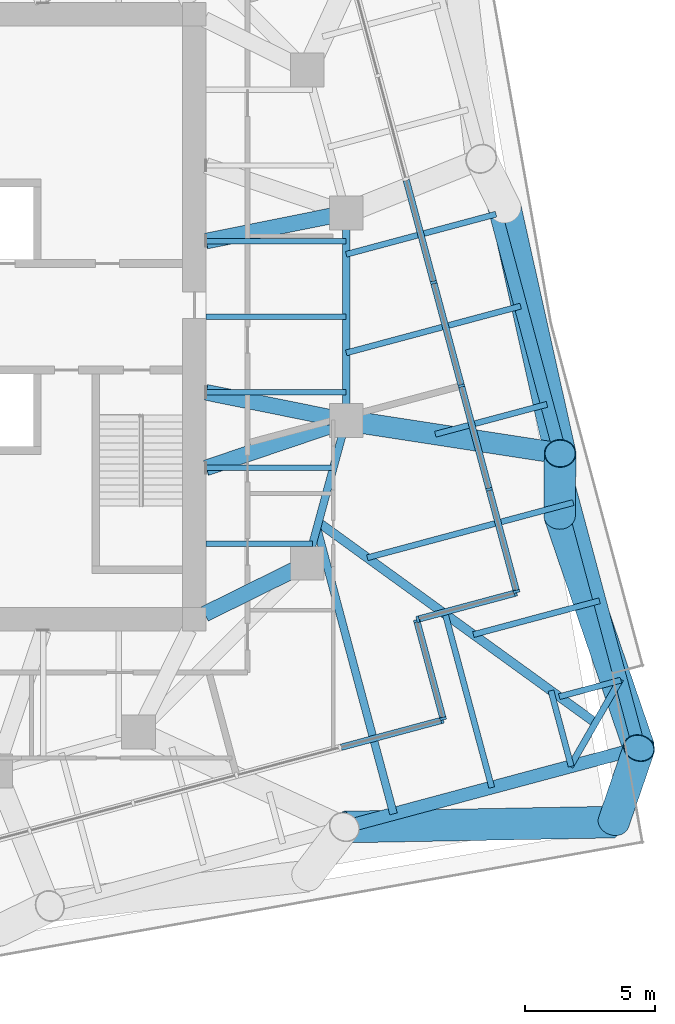
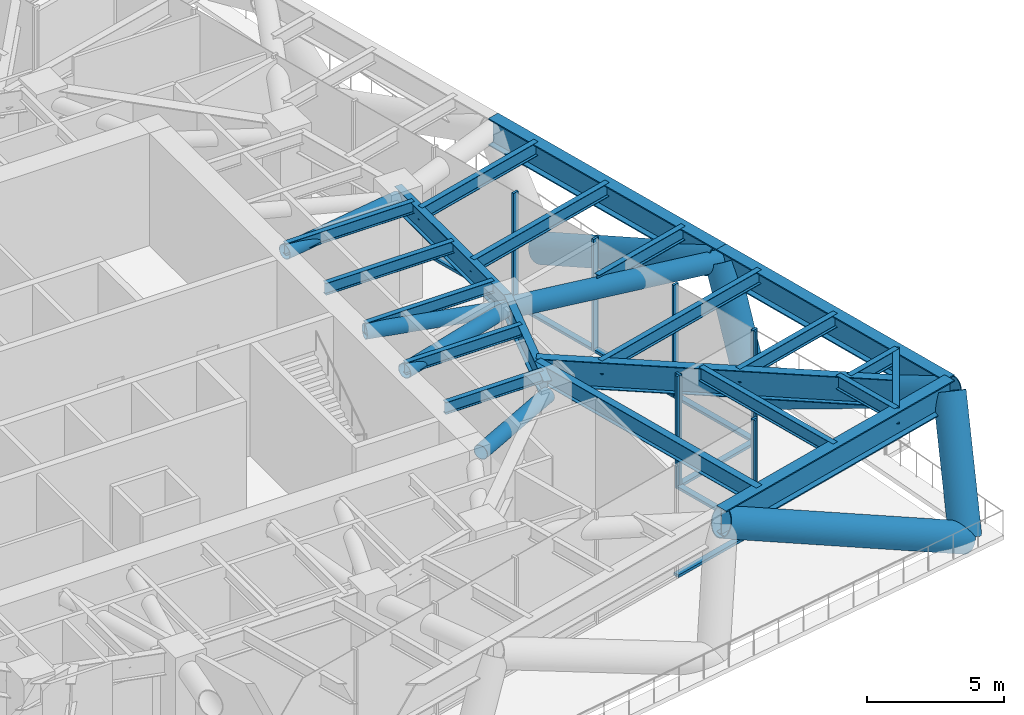
# One storey, part 4 of 14: 26 members, 21 beams, 4 elements without a shape of their own.
"""IFC4 building model written with IfcOpenShell, lengths in metres."""

from ifc_helpers import new_model, si_unit, direction, frame, origin, origin_2d, place, context, subcontext, project, spatial, rectangle, hollow_circle, i_section, extrude, material, material_profile, profile_set, type_object, element, aggregate, save


model = new_model("IFC4")

# Units and contexts
model_context = context("Model", 3, precision=1e-05, world=origin(), true_north=direction((0.0, 1.0)))
body_context = subcontext(model_context, "Body", "Model", "MODEL_VIEW")
ifc_project = project(units=[si_unit("LENGTHUNIT", "METRE"), si_unit("AREAUNIT", "SQUARE_METRE"), si_unit("VOLUMEUNIT", "CUBIC_METRE"), si_unit("PLANEANGLEUNIT", "RADIAN"), si_unit("MASSUNIT", "GRAM", prefix="KILO")], contexts=[model_context])

# Site, building, storey
site_placement = place(None, origin())
site = spatial("IfcSite", under=ifc_project, at=site_placement, CompositionType="ELEMENT")
building_placement = place(site_placement, origin())
building = spatial("IfcBuilding", under=site, at=building_placement, Name="Torsade Residences", CompositionType="ELEMENT")
storey_placement = place(building_placement, frame((0.0, 0.0, 106.60009765625)))
storey = spatial("IfcBuildingStorey", under=building, at=storey_placement, Name="L29", CompositionType="ELEMENT", Elevation=106.60009765625)

# Beams
ifc_material_1 = material(Name="Steel grade 300", Category="steel")
ifc_material_profile_1 = material_profile(ifc_material_1, i_section(OverallWidth=0.35009765625, OverallDepth=1.199951171875, WebThickness=0.01611328125, FlangeThickness=0.028076171875, at=origin_2d()), Name="1200WB278")
ifc_profile_set_1 = profile_set([ifc_material_profile_1], Name="Steel grade 300")
beam_type_1 = type_object("IfcBeamType", Name="CORNER GIRDER 1200WB278", PredefinedType="BEAM", material=ifc_profile_set_1)
beam_1_placement = place(storey_placement, frame((67.097412109375, 14.355224609375, 4.25), z_axis=(-0.810028054936, 0.586391123924, 0.0), x_axis=(-0.586391123924, -0.810028054936, 0.0)))
element("IfcBeam", 1, at=beam_1_placement, inside=storey, type_object=beam_type_1, Name="Corner girder 05 L30", PredefinedType="BEAM", context=body_context, shape_type="SweptSolid", body=[
    extrude(i_section(OverallWidth=0.35009765625, OverallDepth=1.199951171875, WebThickness=0.01611328125, FlangeThickness=0.028076171875, at=origin_2d()), origin(), (0.0, 0.0, 1.0), 13.1689453125),
])
ifc_material_2 = material(Name="Steel grade 300", Category="steel")
ifc_material_profile_2 = material_profile(ifc_material_2, i_section(OverallWidth=0.25, OverallDepth=0.699951171875, WebThickness=0.010009765625, FlangeThickness=0.02001953125, at=origin_2d()), Name="700WB130")
ifc_profile_set_2 = profile_set([ifc_material_profile_2], Name="Steel grade 300")
beam_type_2 = type_object("IfcBeamType", Name="CORNER TRIMMER 700WB130", PredefinedType="BEAM", material=ifc_profile_set_2)
beam_2_placement = place(storey_placement, frame((68.06982421875, 16.039306640625, 4.5), z_axis=(-0.499994147244, -0.866028782848, 0.0), x_axis=(0.866028782848, -0.499994147244, 0.0)))
element("IfcBeam", 2, at=beam_2_placement, inside=storey, type_object=beam_type_2, Name="Corner trimmer 05 L30", PredefinedType="BEAM", context=body_context, shape_type="SweptSolid", body=[
    extrude(i_section(OverallWidth=0.25, OverallDepth=0.699951171875, WebThickness=0.010009765625, FlangeThickness=0.02001953125, at=origin_2d()), origin(), (0.0, 0.0, 1.0), 3.88916015625),
])
ifc_material_3 = material(Name="Steel grade 300", Category="steel")
ifc_material_profile_3 = material_profile(ifc_material_3, i_section(OverallWidth=0.208984375, OverallDepth=0.528076171875, WebThickness=0.009521484375, FlangeThickness=0.01318359375, FilletRadius=0.013916015625, at=origin_2d()), Name="530UB82.0")
ifc_profile_set_3 = profile_set([ifc_material_profile_3], Name="Steel grade 300")
beam_type_3 = type_object("IfcBeamType", Name="INNER FLOOR BEAM 530UB82.0", PredefinedType="JOIST", material=ifc_profile_set_3)
beam_3_placement = place(storey_placement, frame((52.10009765625, 21.262451171875, 4.5859375), z_axis=(1.0, 0.0, 0.0), x_axis=(0.0, 1.0, 0.0)))
element("IfcBeam", 3, at=beam_3_placement, inside=storey, type_object=beam_type_3, Name="Inner floor beam IE01 L30", PredefinedType="JOIST", context=body_context, shape_type="SweptSolid", body=[
    extrude(i_section(OverallWidth=0.208984375, OverallDepth=0.528076171875, WebThickness=0.009521484375, FlangeThickness=0.01318359375, FilletRadius=0.013916015625, at=origin_2d()), origin(), (0.0, 0.0, 1.0), 4.10791015625),
])
beam_4_placement = place(storey_placement, frame((52.10009765625, 24.175048828125, 4.5859375), z_axis=(1.0, 0.0, 0.0), x_axis=(0.0, 1.0, 0.0)))
element("IfcBeam", 4, at=beam_4_placement, inside=storey, type_object=beam_type_3, Name="Inner floor beam IE02 L30", PredefinedType="JOIST", context=body_context, shape_type="SweptSolid", body=[
    extrude(i_section(OverallWidth=0.208984375, OverallDepth=0.528076171875, WebThickness=0.009521484375, FlangeThickness=0.01318359375, FilletRadius=0.013916015625, at=origin_2d()), origin(), (0.0, 0.0, 1.0), 4.902099609375),
])
for number, where, z_axis, x_axis, name in (
    (5, (52.10009765625, 27.08740234375, 4.5859375), (1.0, 0.0, 0.0), (0.0, 1.0, 0.0), "Inner floor beam IE03 L30"),
    (6, (52.10009765625, 30.0, 4.5859375), (1.0, 0.0, 0.0), (0.0, 1.0, 0.0), "Inner floor beam IE04 L30"),
    (7, (52.10009765625, 32.91259765625, 4.5859375), (1.0, 0.0, 0.0), (0.0, 1.0, 0.0), "Inner floor beam IE05 L30"),
):
    element("IfcBeam", number, at=place(storey_placement, frame(where, z_axis=z_axis, x_axis=x_axis)), inside=storey, type_object=beam_type_3, Name=name, PredefinedType="JOIST", context=body_context, shape_type="SweptSolid", body=[
        extrude(i_section(OverallWidth=0.208984375, OverallDepth=0.528076171875, WebThickness=0.009521484375, FlangeThickness=0.01318359375, FilletRadius=0.013916015625, at=origin_2d()), origin(), (0.0, 0.0, 1.0), 5.39990234375),
    ])
ifc_material_4 = material(Name="Steel grade 300", Category="steel")
ifc_material_profile_4 = material_profile(ifc_material_4, i_section(OverallWidth=0.300048828125, OverallDepth=1.0, WebThickness=0.01611328125, FlangeThickness=0.028076171875, at=origin_2d()), Name="1000WB215")
ifc_profile_set_4 = profile_set([ifc_material_profile_4], Name="Steel grade 300")
beam_type_4 = type_object("IfcBeamType", Name="RING GIRDER 1000WB215", PredefinedType="BEAM", material=ifc_profile_set_4)
beam_5_placement = place(storey_placement, frame((57.5, 26.0, 4.349853515625), z_axis=(0.0, 1.0, 0.0), x_axis=(-1.0, 0.0, 0.0)))
element("IfcBeam", 8, at=beam_5_placement, inside=storey, type_object=beam_type_4, Name="Ring girder IR01 L30", PredefinedType="BEAM", context=body_context, shape_type="SweptSolid", body=[
    extrude(i_section(OverallWidth=0.300048828125, OverallDepth=1.0, WebThickness=0.01611328125, FlangeThickness=0.028076171875, at=origin_2d()), origin(), (0.0, 0.0, 1.0), 8.0),
])
beam_6_placement = place(storey_placement, frame((56.0, 20.5, 4.349853515625), z_axis=(0.263117405792, 0.964763821238, 0.0), x_axis=(-0.964763821238, 0.263117405792, 0.0)))
element("IfcBeam", 9, at=beam_6_placement, inside=storey, type_object=beam_type_4, Name="Ring girder IR16 L30", PredefinedType="BEAM", context=body_context, shape_type="SweptSolid", body=[
    extrude(i_section(OverallWidth=0.300048828125, OverallDepth=1.0, WebThickness=0.01611328125, FlangeThickness=0.028076171875, at=origin_2d()), origin(), (0.0, 0.0, 1.0), 5.700927734375),
])
ifc_material_5 = material(Name="Steel grade 300", Category="steel")
ifc_material_profile_5 = material_profile(ifc_material_5, i_section(OverallWidth=0.22900390625, OverallDepth=0.612060546875, WebThickness=0.011962890625, FlangeThickness=0.01953125, FilletRadius=0.013916015625, at=origin_2d()), Name="610UB125")
ifc_profile_set_5 = profile_set([ifc_material_profile_5], Name="Steel grade 300")
beam_type_5 = type_object("IfcBeamType", Name="SECONDARY BEAM 610UB125", PredefinedType="JOIST", material=ifc_profile_set_5)
beam_7_placement = place(storey_placement, frame((63.106689453125, 11.862548828125, 4.5439453125), z_axis=(-0.258823180318, 0.965924718252, 0.0), x_axis=(-0.965924718252, -0.258823180318, 0.0)))
element("IfcBeam", 10, at=beam_7_placement, inside=storey, type_object=beam_type_5, Name="Floor beam FS11 L30", PredefinedType="JOIST", context=body_context, shape_type="SweptSolid", body=[
    extrude(i_section(OverallWidth=0.22900390625, OverallDepth=0.612060546875, WebThickness=0.011962890625, FlangeThickness=0.01953125, FilletRadius=0.013916015625, at=origin_2d()), origin(), (0.0, 0.0, 1.0), 6.912353515625),
])
beam_8_placement = place(storey_placement, frame((66.16552734375, 12.68212890625, 4.5439453125), z_axis=(-0.258826461598, 0.965923839014, 0.0), x_axis=(-0.965923839014, -0.258826461598, 0.0)))
element("IfcBeam", 11, at=beam_8_placement, inside=storey, type_object=beam_type_5, Name="Floor beam FS12 L30", PredefinedType="JOIST", context=body_context, shape_type="SweptSolid", body=[
    extrude(i_section(OverallWidth=0.22900390625, OverallDepth=0.612060546875, WebThickness=0.011962890625, FlangeThickness=0.01953125, FilletRadius=0.013916015625, at=origin_2d()), origin(), (0.0, 0.0, 1.0), 3.015625),
])
beam_9_placement = place(storey_placement, frame((68.08056640625, 15.9990234375, 4.5439453125), z_axis=(-0.965934311205, -0.258787376889, 0.0), x_axis=(0.258787376889, -0.965934311205, 0.0)))
element("IfcBeam", 12, at=beam_9_placement, inside=storey, type_object=beam_type_5, Name="Floor beam FE01 L30", PredefinedType="JOIST", context=body_context, shape_type="SweptSolid", body=[
    extrude(i_section(OverallWidth=0.22900390625, OverallDepth=0.612060546875, WebThickness=0.011962890625, FlangeThickness=0.01953125, FilletRadius=0.013916015625, at=origin_2d()), origin(), (0.0, 0.0, 1.0), 2.45849609375),
])
beam_10_placement = place(storey_placement, frame((67.260986328125, 19.057861328125, 4.5439453125), z_axis=(-0.965920980166, -0.258837130403, 0.0), x_axis=(0.258837130403, -0.965920980166, 0.0)))
element("IfcBeam", 13, at=beam_10_placement, inside=storey, type_object=beam_type_5, Name="Floor beam FE02 L30", PredefinedType="JOIST", context=body_context, shape_type="SweptSolid", body=[
    extrude(i_section(OverallWidth=0.22900390625, OverallDepth=0.612060546875, WebThickness=0.011962890625, FlangeThickness=0.01953125, FilletRadius=0.013916015625, at=origin_2d()), origin(), (0.0, 0.0, 1.0), 5.031982421875),
])
beam_11_placement = place(storey_placement, frame((66.247314453125, 22.841064453125, 4.5439453125), z_axis=(-0.965924969282, -0.258822243477, 0.0), x_axis=(0.258822243477, -0.965924969282, 0.0)))
element("IfcBeam", 14, at=beam_11_placement, inside=storey, type_object=beam_type_5, Name="Floor beam FE03 L30", PredefinedType="JOIST", context=body_context, shape_type="SweptSolid", body=[
    extrude(i_section(OverallWidth=0.22900390625, OverallDepth=0.612060546875, WebThickness=0.011962890625, FlangeThickness=0.01953125, FilletRadius=0.013916015625, at=origin_2d()), origin(), (0.0, 0.0, 1.0), 8.215087890625),
])
beam_12_placement = place(storey_placement, frame((65.233642578125, 26.624267578125, 4.5439453125), z_axis=(-0.965921124784, -0.258836590722, 0.0), x_axis=(0.258836590722, -0.965921124784, 0.0)))
element("IfcBeam", 15, at=beam_12_placement, inside=storey, type_object=beam_type_5, Name="Floor beam FE04 L30", PredefinedType="JOIST", context=body_context, shape_type="SweptSolid", body=[
    extrude(i_section(OverallWidth=0.22900390625, OverallDepth=0.612060546875, WebThickness=0.011962890625, FlangeThickness=0.01953125, FilletRadius=0.013916015625, at=origin_2d()), origin(), (0.0, 0.0, 1.0), 4.451904296875),
])
beam_13_placement = place(storey_placement, frame((64.2197265625, 30.407470703125, 4.5439453125), z_axis=(-0.965926120836, -0.258817945835, 0.0), x_axis=(0.258817945835, -0.965926120836, 0.0)))
element("IfcBeam", 16, at=beam_13_placement, inside=storey, type_object=beam_type_5, Name="Floor beam FE05 L30", PredefinedType="JOIST", context=body_context, shape_type="SweptSolid", body=[
    extrude(i_section(OverallWidth=0.22900390625, OverallDepth=0.612060546875, WebThickness=0.011962890625, FlangeThickness=0.01953125, FilletRadius=0.013916015625, at=origin_2d()), origin(), (0.0, 0.0, 1.0), 6.956787109375),
])
beam_14_placement = place(storey_placement, frame((63.270751953125, 33.94921875, 4.5439453125), z_axis=(-0.965920871885, -0.258837534481, 0.0), x_axis=(0.258837534481, -0.965920871885, 0.0)))
element("IfcBeam", 17, at=beam_14_placement, inside=storey, type_object=beam_type_5, Name="Floor beam FE06 L30", PredefinedType="JOIST", context=body_context, shape_type="SweptSolid", body=[
    extrude(i_section(OverallWidth=0.22900390625, OverallDepth=0.612060546875, WebThickness=0.011962890625, FlangeThickness=0.01953125, FilletRadius=0.013916015625, at=origin_2d()), origin(), (0.0, 0.0, 1.0), 5.974365234375),
])
ifc_material_6 = material(Name="Steel grade 300", Category="steel")
ifc_material_profile_6 = material_profile(ifc_material_6, i_section(OverallWidth=0.300048828125, OverallDepth=0.800048828125, WebThickness=0.010009765625, FlangeThickness=0.02001953125, at=origin_2d()), Name="800WB146")
ifc_profile_set_6 = profile_set([ifc_material_profile_6], Name="Steel grade 300")
beam_type_6 = type_object("IfcBeamType", Name="SECONDARY BEAM 800WB146", PredefinedType="JOIST", material=ifc_profile_set_6)
beam_15_placement = place(storey_placement, frame((59.323486328125, 10.8486328125, 4.449951171875), z_axis=(-0.258807068179, 0.965929035417, 0.0), x_axis=(-0.965929035417, -0.258807068179, 0.0)))
element("IfcBeam", 18, at=beam_15_placement, inside=storey, type_object=beam_type_6, Name="Floor beam FS10 L30", PredefinedType="JOIST", context=body_context, shape_type="SweptSolid", body=[
    extrude(i_section(OverallWidth=0.300048828125, OverallDepth=0.800048828125, WebThickness=0.010009765625, FlangeThickness=0.02001953125, at=origin_2d()), origin(), (0.0, 0.0, 1.0), 11.40380859375),
])

# Members
ifc_material_7 = material(Name="Steel grade 450", Category="steel")
ifc_material_profile_7 = material_profile(ifc_material_7, hollow_circle(Radius=0.304931640625, WallThickness=0.01611328125, at=origin_2d()), Name="610.0x16.0CHS")
ifc_profile_set_7 = profile_set([ifc_material_profile_7], Name="Steel grade 450")
member_type_1 = type_object("IfcMemberType", Name="TRANSFER FLOOR BRACE 610.0x16.0CHS", PredefinedType="BRACE", material=ifc_profile_set_7)
member_1_placement = place(storey_placement, frame((57.5, 26.0, 4.25), z_axis=(-0.97976354245, 0.197299340721, 0.033710102894), x_axis=(-0.197411538983, -0.980320704809, 0.0)))
element("IfcMember", 19, at=member_1_placement, inside=storey, type_object=member_type_1, Name="Transfer floor brace TT3 top IR01IE03", PredefinedType="BRACE", context=body_context, shape_type="SweptSolid", body=[
    extrude(hollow_circle(Radius=0.304931640625, WallThickness=0.01611328125, at=origin_2d()), origin(), (0.0, 0.0, 1.0), 5.511474609375),
])
member_2_placement = place(storey_placement, frame((57.5, 26.0, 4.25), z_axis=(-0.946857291164, -0.319999920944, 0.032577918373), x_axis=(0.320169867513, -0.947360151124, 0.0)))
element("IfcMember", 20, at=member_2_placement, inside=storey, type_object=member_type_1, Name="Transfer floor brace TT3 top IR01IE02", PredefinedType="BRACE", context=body_context, shape_type="SweptSolid", body=[
    extrude(hollow_circle(Radius=0.304931640625, WallThickness=0.01611328125, at=origin_2d()), origin(), (0.0, 0.0, 1.0), 5.702880859375),
])
member_3_placement = place(storey_placement, frame((57.5, 34.0, 4.25), z_axis=(-0.97976354245, -0.197299340721, 0.033710102894), x_axis=(0.197411538983, -0.980320704809, 0.0)))
element("IfcMember", 21, at=member_3_placement, inside=storey, type_object=member_type_1, Name="Transfer floor brace TT3 top IR02IE05", PredefinedType="BRACE", context=body_context, shape_type="SweptSolid", body=[
    extrude(hollow_circle(Radius=0.304931640625, WallThickness=0.01611328125, at=origin_2d()), origin(), (0.0, 0.0, 1.0), 5.511474609375),
])
member_4_placement = place(storey_placement, frame((56.0, 20.5, 4.25), z_axis=(-0.896469701914, -0.443105036702, 0.0), x_axis=(0.443105036702, -0.896469701914, 0.0)))
element("IfcMember", 22, at=member_4_placement, inside=storey, type_object=member_type_1, Name="Transfer floor brace TT3 top IR16C", PredefinedType="BRACE", context=body_context, shape_type="SweptSolid", body=[
    extrude(hollow_circle(Radius=0.304931640625, WallThickness=0.01611328125, at=origin_2d()), origin(), (0.0, 0.0, 1.0), 4.40234375),
])
ifc_material_8 = material(Name="Steel grade 450", Category="steel")
ifc_material_profile_8 = material_profile(ifc_material_8, hollow_circle(Radius=0.406494140625, WallThickness=0.02490234375, at=origin_2d()), Name="813.0x25.0CHS")
ifc_profile_set_8 = profile_set([ifc_material_profile_8], Name="Steel grade 450")
member_type_2 = type_object("IfcMemberType", Name="TRANSFER FLOOR STRUT 813.0x25.0CHS", PredefinedType="STRUT", material=ifc_profile_set_8)
member_5_placement = place(storey_placement, frame((65.740478515625, 24.732666015625, 4.25), z_axis=(-0.98837948251, 0.152006574044, 0.0), x_axis=(-0.152006574044, -0.98837948251, 0.0)))
element("IfcMember", 23, at=member_5_placement, inside=storey, type_object=member_type_2, Name="Transfer floor strut TT3 top 06IR01", PredefinedType="STRUT", context=body_context, shape_type="SweptSolid", body=[
    extrude(hollow_circle(Radius=0.406494140625, WallThickness=0.02490234375, at=origin_2d()), origin(), (0.0, 0.0, 1.0), 8.33740234375),
])

# Curtain wall, member
ifc_material_9 = material(Name="Aluminium and glass", Category="aluminium")
curtain_wall_type = type_object("IfcCurtainWallType", Name="TRANSFER LEVEL CURTAIN WALL LOW ZONE", PredefinedType="NOTDEFINED", material=ifc_material_9)
curtain_wall_1_placement = place(storey_placement, origin())
curtain_wall_1 = element("IfcCurtainWall", 24, at=curtain_wall_1_placement, inside=storey, type_object=curtain_wall_type, Name="Curtain wall L29 face 1", PredefinedType="NOTDEFINED")
ifc_material_10 = material(Name="Aluminium mullion", Category="aluminium")
ifc_material_profile_9 = material_profile(ifc_material_10, rectangle(XDim=0.25, YDim=0.10009765625, at=origin_2d()), Name="TRANSFER LEVEL CURTAIN WALL MULLION 250x100")
ifc_profile_set_9 = profile_set([ifc_material_profile_9], Name="Aluminium mullion")
member_type_3 = type_object("IfcMemberType", Name="TRANSFER LEVEL CURTAIN WALL MULLION 250x100", PredefinedType="MULLION", material=ifc_profile_set_9)
member_6_placement = place(storey_placement, frame((61.1953125, 14.4560546875, 0.0), z_axis=(0.0, 0.0, 1.0), x_axis=(-0.258819054021, 0.965925823899, 0.0)))
member_6 = element("IfcMember", 25, at=member_6_placement, type_object=member_type_3, Name="Mullion 9", PredefinedType="MULLION", context=body_context, shape_type="SweptSolid", body=[
    extrude(rectangle(XDim=0.25, YDim=0.10009765625, at=origin_2d()), origin(), (0.0, 0.0, 1.0), 5.0),
])

# Curtain wall, members
curtain_wall_2_placement = place(storey_placement, origin())
curtain_wall_2 = element("IfcCurtainWall", 26, at=curtain_wall_2_placement, inside=storey, type_object=curtain_wall_type, Name="Curtain wall L29 face 2", PredefinedType="NOTDEFINED")
member_7_placement = place(storey_placement, frame((61.230712890625, 14.517333984375, 0.0), z_axis=(0.0, 0.0, 1.0), x_axis=(-0.965925769954, -0.258819255346, 0.0)))
member_7 = element("IfcMember", 27, at=member_7_placement, type_object=member_type_3, Name="Mullion 1", PredefinedType="MULLION", context=body_context, shape_type="SweptSolid", body=[
    extrude(rectangle(XDim=0.25, YDim=0.10009765625, at=origin_2d()), origin(), (0.0, 0.0, 1.0), 5.0),
])
member_8_placement = place(storey_placement, frame((60.22119140625, 18.284423828125, 0.0), z_axis=(0.0, 0.0, 1.0), x_axis=(-0.965925769954, -0.258819255346, 0.0)))
member_8 = element("IfcMember", 28, at=member_8_placement, type_object=member_type_3, Name="Mullion 2", PredefinedType="MULLION", context=body_context, shape_type="SweptSolid", body=[
    extrude(rectangle(XDim=0.25, YDim=0.10009765625, at=origin_2d()), origin(), (0.0, 0.0, 1.0), 5.0),
])

curtain_wall_3_placement = place(storey_placement, origin())
curtain_wall_3 = element("IfcCurtainWall", 29, at=curtain_wall_3_placement, inside=storey, type_object=curtain_wall_type, Name="Curtain wall L29 face 3", PredefinedType="NOTDEFINED")
member_9_placement = place(storey_placement, frame((60.256591796875, 18.345703125, 0.0), z_axis=(0.0, 0.0, 1.0), x_axis=(-0.258818959596, 0.965925849201, 0.0)))
member_9 = element("IfcMember", 30, at=member_9_placement, type_object=member_type_3, Name="Mullion 1", PredefinedType="MULLION", context=body_context, shape_type="SweptSolid", body=[
    extrude(rectangle(XDim=0.25, YDim=0.10009765625, at=origin_2d()), origin(), (0.0, 0.0, 1.0), 5.0),
])
member_10_placement = place(storey_placement, frame((64.023681640625, 19.35498046875, 0.0), z_axis=(0.0, 0.0, 1.0), x_axis=(-0.258818959596, 0.965925849201, 0.0)))
member_10 = element("IfcMember", 31, at=member_10_placement, type_object=member_type_3, Name="Mullion 2", PredefinedType="MULLION", context=body_context, shape_type="SweptSolid", body=[
    extrude(rectangle(XDim=0.25, YDim=0.10009765625, at=origin_2d()), origin(), (0.0, 0.0, 1.0), 5.0),
])

curtain_wall_4_placement = place(storey_placement, origin())
curtain_wall_4 = element("IfcCurtainWall", 32, at=curtain_wall_4_placement, inside=storey, type_object=curtain_wall_type, Name="Curtain wall L29 face 4", PredefinedType="NOTDEFINED")
member_11_placement = place(storey_placement, frame((64.05908203125, 19.416259765625, 0.0), z_axis=(0.0, 0.0, 1.0), x_axis=(-0.965925823899, -0.258819054021, 0.0)))
member_11 = element("IfcMember", 33, at=member_11_placement, type_object=member_type_3, Name="Mullion 1", PredefinedType="MULLION", context=body_context, shape_type="SweptSolid", body=[
    extrude(rectangle(XDim=0.25, YDim=0.10009765625, at=origin_2d()), origin(), (0.0, 0.0, 1.0), 5.0),
])
member_12_placement = place(storey_placement, frame((63.00439453125, 23.3525390625, 0.0), z_axis=(0.0, 0.0, 1.0), x_axis=(-0.965925823899, -0.258819054021, 0.0)))
member_12 = element("IfcMember", 34, at=member_12_placement, type_object=member_type_3, Name="Mullion 2", PredefinedType="MULLION", context=body_context, shape_type="SweptSolid", body=[
    extrude(rectangle(XDim=0.25, YDim=0.10009765625, at=origin_2d()), origin(), (0.0, 0.0, 1.0), 5.0),
])
member_13_placement = place(storey_placement, frame((61.936767578125, 27.3369140625, 0.0), z_axis=(0.0, 0.0, 1.0), x_axis=(-0.965925823899, -0.258819054021, 0.0)))
member_13 = element("IfcMember", 35, at=member_13_placement, type_object=member_type_3, Name="Mullion 3", PredefinedType="MULLION", context=body_context, shape_type="SweptSolid", body=[
    extrude(rectangle(XDim=0.25, YDim=0.10009765625, at=origin_2d()), origin(), (0.0, 0.0, 1.0), 5.0),
])
member_14_placement = place(storey_placement, frame((60.869140625, 31.3212890625, 0.0), z_axis=(0.0, 0.0, 1.0), x_axis=(-0.965925823899, -0.258819054021, 0.0)))
member_14 = element("IfcMember", 36, at=member_14_placement, type_object=member_type_3, Name="Mullion 4", PredefinedType="MULLION", context=body_context, shape_type="SweptSolid", body=[
    extrude(rectangle(XDim=0.25, YDim=0.10009765625, at=origin_2d()), origin(), (0.0, 0.0, 1.0), 5.0),
])

# Member
ifc_material_11 = material(Name="Aluminium transom", Category="aluminium")
ifc_material_profile_10 = material_profile(ifc_material_11, rectangle(XDim=0.25, YDim=0.1201171875, at=origin_2d()), Name="TRANSFER LEVEL CURTAIN WALL TRANSOM 250x120")
ifc_profile_set_10 = profile_set([ifc_material_profile_10], Name="Aluminium transom")
member_type_4 = type_object("IfcMemberType", Name="TRANSFER LEVEL CURTAIN WALL TRANSOM 250x120", PredefinedType="USERDEFINED", material=ifc_profile_set_10)
member_15_placement = place(storey_placement, frame((57.307373046875, 13.414306640625, 0.059814453125), z_axis=(0.965926393629, 0.258816927752, 0.0), x_axis=(-0.258816927752, 0.965926393629, 0.0)))
member_15 = element("IfcMember", 37, at=member_15_placement, type_object=member_type_4, Name="Transom 8.1", ObjectType="TRANSOM", PredefinedType="USERDEFINED", context=body_context, shape_type="SweptSolid", body=[
    extrude(rectangle(XDim=0.25, YDim=0.1201171875, at=origin_2d()), origin(), (0.0, 0.0, 1.0), 3.97509765625),
])

aggregate(curtain_wall_1, [member_6, member_15])

member_16_placement = place(storey_placement, frame((61.2177734375, 14.565673828125, 0.059814453125), z_axis=(-0.258858119419, 0.96591535551, 0.0), x_axis=(-0.96591535551, -0.258858119419, 0.0)))
member_16 = element("IfcMember", 38, at=member_16_placement, type_object=member_type_4, Name="Transom 1.1", ObjectType="TRANSOM", PredefinedType="USERDEFINED", context=body_context, shape_type="SweptSolid", body=[
    extrude(rectangle(XDim=0.25, YDim=0.1201171875, at=origin_2d()), origin(), (0.0, 0.0, 1.0), 3.800048828125),
])

aggregate(curtain_wall_2, [member_7, member_8, member_16])

member_17_placement = place(storey_placement, frame((60.304931640625, 18.358642578125, 0.059814453125), z_axis=(0.96593141835, 0.258798174346, 0.0), x_axis=(-0.258798174346, 0.96593141835, 0.0)))
member_17 = element("IfcMember", 39, at=member_17_placement, type_object=member_type_4, Name="Transom 1.1", ObjectType="TRANSOM", PredefinedType="USERDEFINED", context=body_context, shape_type="SweptSolid", body=[
    extrude(rectangle(XDim=0.25, YDim=0.1201171875, at=origin_2d()), origin(), (0.0, 0.0, 1.0), 3.7998046875),
])

aggregate(curtain_wall_3, [member_9, member_10, member_17])

member_18_placement = place(storey_placement, frame((64.046142578125, 19.464599609375, 0.059814453125), z_axis=(-0.258816927752, 0.965926393629, 0.0), x_axis=(-0.965926393629, -0.258816927752, 0.0)))
member_18 = element("IfcMember", 40, at=member_18_placement, type_object=member_type_4, Name="Transom 1.1", ObjectType="TRANSOM", PredefinedType="USERDEFINED", context=body_context, shape_type="SweptSolid", body=[
    extrude(rectangle(XDim=0.25, YDim=0.1201171875, at=origin_2d()), origin(), (0.0, 0.0, 1.0), 3.97509765625),
])

member_19_placement = place(storey_placement, frame((62.991455078125, 23.400634765625, 0.059814453125), z_axis=(-0.258813901512, 0.965927204495, 0.0), x_axis=(-0.965927204495, -0.258813901512, 0.0)))
member_19 = element("IfcMember", 41, at=member_19_placement, type_object=member_type_4, Name="Transom 2.1", ObjectType="TRANSOM", PredefinedType="USERDEFINED", context=body_context, shape_type="SweptSolid", body=[
    extrude(rectangle(XDim=0.25, YDim=0.1201171875, at=origin_2d()), origin(), (0.0, 0.0, 1.0), 4.025146484375),
])

member_20_placement = place(storey_placement, frame((61.923828125, 27.38525390625, 0.059814453125), z_axis=(-0.258829065781, 0.965923141201, 0.0), x_axis=(-0.965923141201, -0.258829065781, 0.0)))
member_20 = element("IfcMember", 42, at=member_20_placement, type_object=member_type_4, Name="Transom 3.1", ObjectType="TRANSOM", PredefinedType="USERDEFINED", context=body_context, shape_type="SweptSolid", body=[
    extrude(rectangle(XDim=0.25, YDim=0.1201171875, at=origin_2d()), origin(), (0.0, 0.0, 1.0), 4.02490234375),
])

member_21_placement = place(storey_placement, frame((60.856201171875, 31.36962890625, 0.059814453125), z_axis=(-0.258813901512, 0.965927204495, 0.0), x_axis=(-0.965927204495, -0.258813901512, 0.0)))
member_21 = element("IfcMember", 43, at=member_21_placement, type_object=member_type_4, Name="Transom 4.1", ObjectType="TRANSOM", PredefinedType="USERDEFINED", context=body_context, shape_type="SweptSolid", body=[
    extrude(rectangle(XDim=0.25, YDim=0.1201171875, at=origin_2d()), origin(), (0.0, 0.0, 1.0), 4.025146484375),
])

aggregate(curtain_wall_4, [member_11, member_12, member_13, member_14, member_18, member_19, member_20, member_21])

# Beams
ifc_material_12 = material(Name="Steel grade 350", Category="steel")
ifc_material_profile_11 = material_profile(ifc_material_12, i_section(OverallWidth=0.5, OverallDepth=1.199951171875, WebThickness=0.031982421875, FlangeThickness=0.050048828125, at=origin_2d()), Name="1200x500x50x32WPG")
ifc_profile_set_11 = profile_set([ifc_material_profile_11], Name="Steel grade 350")
beam_type_7 = type_object("IfcBeamType", Name="TRANSFER TRUSS CHORD 1200x500x50x32WPG", PredefinedType="USERDEFINED", material=ifc_profile_set_11)
for number, where, z_axis, x_axis, name in (
    (44, (57.431884765625, 10.341796875, 4.25), (0.965922824118, 0.258830249097, 0.0), (-0.258830249097, 0.965922824118, 0.0), "Transfer truss TT3 top chord 04"),
    (45, (68.781494140625, 13.383056640625, 4.25), (-0.258810863021, 0.965928018634, 0.0), (-0.965928018634, -0.258810863021, 0.0), "Transfer truss TT3 top chord 05"),
    (46, (65.740478515625, 24.732666015625, 4.25), (-0.258830249097, 0.965922824118, 0.0), (-0.965922824118, -0.258830249097, 0.0), "Transfer truss TT3 top chord 06"),
):
    element("IfcBeam", number, at=place(storey_placement, frame(where, z_axis=z_axis, x_axis=x_axis)), inside=storey, type_object=beam_type_7, Name=name, ObjectType="TRANSFER TRUSS CHORD", PredefinedType="USERDEFINED", context=body_context, shape_type="SweptSolid", body=[
        extrude(i_section(OverallWidth=0.5, OverallDepth=1.199951171875, WebThickness=0.031982421875, FlangeThickness=0.050048828125, at=origin_2d()), origin(), (0.0, 0.0, 1.0), 11.75),
    ])

# Members
ifc_material_13 = material(Name="Steel grade 450", Category="steel")
ifc_material_profile_12 = material_profile(ifc_material_13, hollow_circle(Radius=0.609619140625, WallThickness=0.0400390625, at=origin_2d()), Name="1219.0x40.0CHS")
ifc_profile_set_12 = profile_set([ifc_material_profile_12], Name="Steel grade 450")
member_type_5 = type_object("IfcMemberType", Name="TRANSFER TRUSS DIAGONAL 1219.0x40.0CHS", PredefinedType="BRACE", material=ifc_profile_set_12)
member_22_placement = place(storey_placement, frame((67.802978515625, 10.5322265625, -0.2001953125), z_axis=(-0.918839585468, -0.016871348321, 0.394270432296), x_axis=(0.018358487421, -0.999831468768, 0.0)))
element("IfcMember", 47, at=member_22_placement, inside=storey, type_object=member_type_5, Name="Transfer truss TT3 diagonal 04", PredefinedType="BRACE", context=body_context, shape_type="SweptSolid", body=[
    extrude(hollow_circle(Radius=0.609619140625, WallThickness=0.0400390625, at=origin_2d()), origin(), (0.0, 0.0, 1.0), 11.287109375),
])
member_23_placement = place(storey_placement, frame((65.71923828125, 22.349853515625, -0.2001953125), z_axis=(0.292526846333, -0.856567488808, 0.425111963243), x_axis=(0.946336210326, 0.323183813062, 0.0)))
element("IfcMember", 48, at=member_23_placement, inside=storey, type_object=member_type_5, Name="Transfer truss TT3 diagonal 05", PredefinedType="BRACE", context=body_context, shape_type="SweptSolid", body=[
    extrude(hollow_circle(Radius=0.609619140625, WallThickness=0.0400390625, at=origin_2d()), origin(), (0.0, 0.0, 1.0), 10.46826171875),
])
member_24_placement = place(storey_placement, frame((63.635498046875, 34.16748046875, -0.2001953125), z_axis=(0.197800429475, -0.886568962777, 0.418175159879), x_axis=(0.976003683716, 0.217754011153, 0.0)))
element("IfcMember", 49, at=member_24_placement, inside=storey, type_object=member_type_5, Name="Transfer truss TT3 diagonal 06", PredefinedType="BRACE", context=body_context, shape_type="SweptSolid", body=[
    extrude(hollow_circle(Radius=0.609619140625, WallThickness=0.0400390625, at=origin_2d()), origin(), (0.0, 0.0, 1.0), 10.641845703125),
])
ifc_material_14 = material(Name="Steel grade 450", Category="steel")
ifc_material_profile_13 = material_profile(ifc_material_14, hollow_circle(Radius=0.609619140625, WallThickness=0.031982421875, at=origin_2d()), Name="1219.0x32.0CHS")
ifc_profile_set_13 = profile_set([ifc_material_profile_13], Name="Steel grade 450")
member_type_6 = type_object("IfcMemberType", Name="TRANSFER TRUSS RAKING STRUT 1219.0x32.0CHS", PredefinedType="STRUT", material=ifc_profile_set_13)
member_25_placement = place(storey_placement, frame((67.802978515625, 10.5322265625, -0.2001953125), z_axis=(0.182054654349, 0.530402245217, 0.827967125615), x_axis=(-0.945835129862, 0.324647358096, 0.0)))
element("IfcMember", 50, at=member_25_placement, inside=storey, type_object=member_type_6, Name="Transfer truss TT3 raking strut 05", PredefinedType="STRUT", context=body_context, shape_type="SweptSolid", body=[
    extrude(hollow_circle(Radius=0.609619140625, WallThickness=0.031982421875, at=origin_2d()), origin(), (0.0, 0.0, 1.0), 5.374755859375),
])
member_26_placement = place(storey_placement, frame((65.71923828125, 22.349853515625, -0.2001953125), z_axis=(0.004207638469, 0.472029327114, 0.881572804777), x_axis=(-0.999960273254, 0.008913580305, 0.0)))
element("IfcMember", 51, at=member_26_placement, inside=storey, type_object=member_type_6, Name="Transfer truss TT3 raking strut 06", PredefinedType="STRUT", context=body_context, shape_type="SweptSolid", body=[
    extrude(hollow_circle(Radius=0.609619140625, WallThickness=0.031982421875, at=origin_2d()), origin(), (0.0, 0.0, 1.0), 5.048095703125),
])

save(model, "model.ifc")
